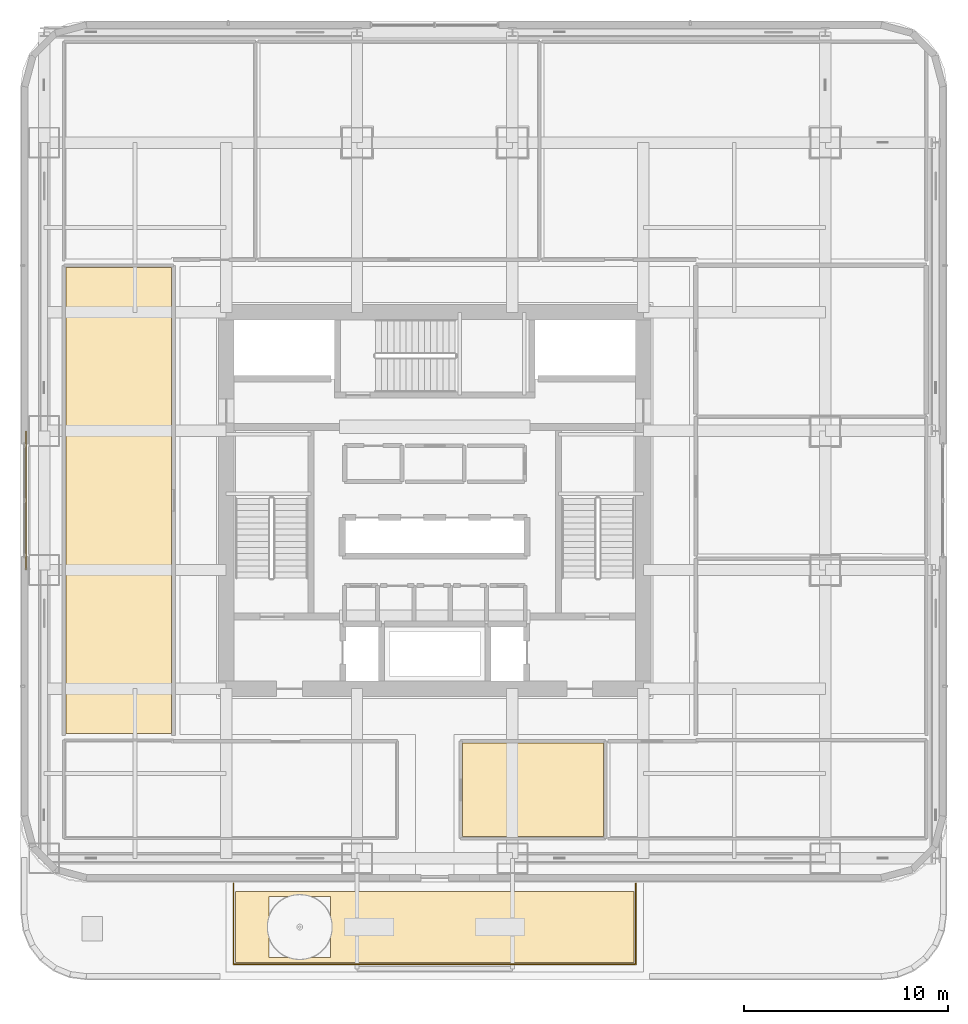
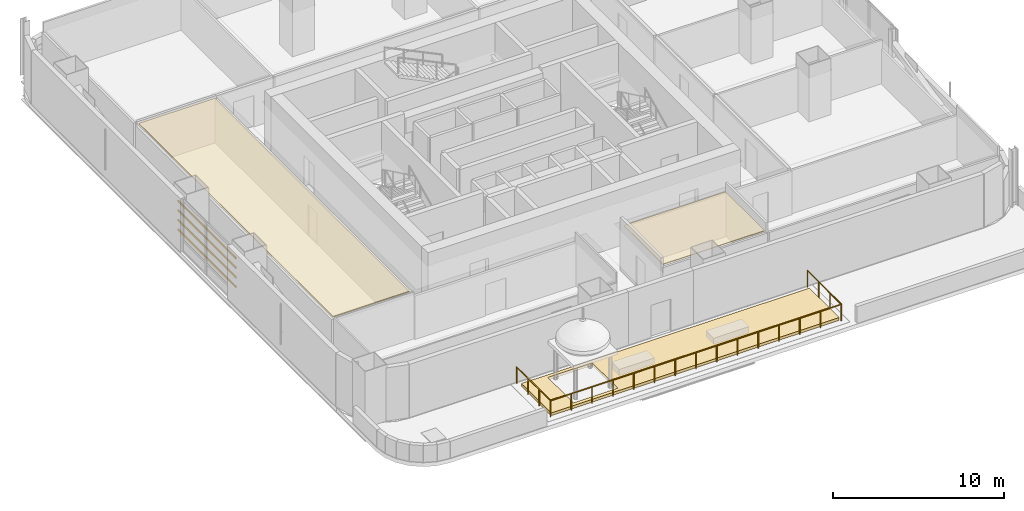
# One storey, part 18 of 28: 4 shading devices, 3 coverings, 1 railing.
"""IFC4 building model written with IfcOpenShell, lengths in metres."""

from ifc_helpers import new_model, si_unit, direction, frame, origin, origin_2d, place, context, subcontext, project, spatial, polyline, hollow_rectangle, circle, outline, extrude, material, layer, layer_set, material_profile, profile_set, type_object, element, save


model = new_model("IFC4")

# Units and contexts
model_context = context("Model", 3, precision=1e-05, world=origin(), true_north=direction((0.0, 1.0)))
body_context = subcontext(model_context, "Body", "Model", "MODEL_VIEW")
ifc_project = project(units=[si_unit("LENGTHUNIT", "METRE"), si_unit("AREAUNIT", "SQUARE_METRE"), si_unit("VOLUMEUNIT", "CUBIC_METRE"), si_unit("PLANEANGLEUNIT", "RADIAN"), si_unit("MASSUNIT", "GRAM", prefix="KILO")], contexts=[model_context])

# Site, building, storey
site_placement = place(None, origin())
site = spatial("IfcSite", under=ifc_project, at=site_placement, CompositionType="ELEMENT")
building_placement = place(site_placement, origin())
building = spatial("IfcBuilding", under=site, at=building_placement, Name="Punatoya Terracotta Tower", CompositionType="ELEMENT")
storey_placement = place(building_placement, frame((0.0, 0.0, 93.0)))
storey = spatial("IfcBuildingStorey", under=building, at=storey_placement, Name="L21", CompositionType="ELEMENT", Elevation=93.0)

# Coverings
ifc_material_1 = material(Name="Acoustic Mineral Fibre Ceiling")
ifc_layer_1 = layer(ifc_material_1, 0.06005859375)
ifc_layer_set_1 = layer_set([ifc_layer_1], Name="Acoustic Mineral Fibre Ceiling")
covering_type_1 = type_object("IfcCoveringType", Name="COV-CEIL-60", PredefinedType="CEILING", material=ifc_layer_set_1)
covering_1_placement = place(storey_placement, frame((0.0, 0.0, 3.159912109375)))
element("IfcCovering", 1, at=covering_1_placement, inside=storey, type_object=covering_type_1, Name="L21 Client Media Salon Acoustic Ceiling", PredefinedType="CEILING", context=body_context, shape_type="SweptSolid", body=[
    extrude(outline(polyline([(1.3701171875, -16.43994140625), (8.259033203125, -16.43994140625), (8.259033203125, -11.8701171875), (1.3701171875, -11.8701171875), (1.3701171875, -16.43994140625)])), origin(), (0.0, 0.0, 1.0), 0.06005859375),
])
covering_2_placement = place(storey_placement, frame((0.0, 0.0, 3.159912109375)))
element("IfcCovering", 2, at=covering_2_placement, inside=storey, type_object=covering_type_1, Name="L21 Hospitality Tea Pantry Acoustic Ceiling", PredefinedType="CEILING", context=body_context, shape_type="SweptSolid", body=[
    extrude(outline(polyline([(-12.8701171875, -11.389892578125), (-12.8701171875, 11.389892578125), (-18.0400390625, 11.389892578125), (-18.0400390625, -11.389892578125), (-12.8701171875, -11.389892578125)])), origin(), (0.0, 0.0, 1.0), 0.06005859375),
])
ifc_material_2 = material(Name="Green Roof Planting Soil Medium")
ifc_layer_2 = layer(ifc_material_2, 0.35009765625)
ifc_layer_set_2 = layer_set([ifc_layer_2], Name="Green Roof Planting Soil Medium")
covering_type_2 = type_object("IfcCoveringType", Name="COV-TER-350", PredefinedType="ROOFING", material=ifc_layer_set_2)
covering_3_placement = place(storey_placement, origin())
element("IfcCovering", 3, at=covering_3_placement, inside=storey, type_object=covering_type_2, Name="L21 L21 Spiralling Sky Terrace Planted Soil Bed", PredefinedType="ROOFING", context=body_context, shape_type="SweptSolid", body=[
    extrude(outline(polyline([(-9.75, -22.60009765625), (-9.75, -19.1201171875), (9.75, -19.1201171875), (9.75, -22.60009765625), (-9.75, -22.60009765625)]), holes=[polyline([(-5.10009765625, -19.360107421875), (-8.10009765625, -19.360107421875), (-8.10009765625, -22.360107421875), (-5.10009765625, -22.360107421875), (-5.10009765625, -19.360107421875)])]), origin(), (0.0, 0.0, 1.0), 0.199951171875),
])

# Railing
ifc_material_3 = material(Name="Steel S355", Category="steel")
railing_type = type_object("IfcRailingType", Name="RLG-BAL-1200", PredefinedType="BALUSTRADE", material=ifc_material_3)
railing_placement = place(storey_placement, frame((-9.840087890625, -18.719970703125, 0.0)))
element("IfcRailing", 4, at=railing_placement, inside=storey, type_object=railing_type, Name="L21 L21 Spiralling Sky Terrace Guardrail", PredefinedType="BALUSTRADE", context=body_context, shape_type="SweptSolid", body=[
    extrude(circle(Radius=0.02392578125, at=origin_2d()), frame((0.0, 0.0, 1.17578125), z_axis=(0.0, -1.0, 0.0), x_axis=(1.0, 0.0, 0.0)), (0.0, 0.0, 1.0), 3.969970703125),
    extrude(circle(Radius=0.02392578125, at=origin_2d()), frame((0.0, -3.969970703125, 1.17578125), z_axis=(1.0, 0.0, 0.0), x_axis=(0.0, 1.0, 0.0)), (0.0, 0.0, 1.0), 19.68017578125),
    extrude(circle(Radius=0.02392578125, at=origin_2d()), frame((19.68017578125, -3.969970703125, 1.17578125), z_axis=(0.0, 1.0, 0.0), x_axis=(-1.0, 0.0, 0.0)), (0.0, 0.0, 1.0), 3.969970703125),
    extrude(circle(Radius=0.02099609375, at=origin_2d()), origin(), (0.0, 0.0, 1.0), 1.15185546875),
    extrude(circle(Radius=0.02099609375, at=origin_2d()), frame((0.0, -1.3232421875, 0.0)), (0.0, 0.0, 1.0), 1.15185546875),
    extrude(circle(Radius=0.02099609375, at=origin_2d()), frame((0.0, -2.646728515625, 0.0)), (0.0, 0.0, 1.0), 1.15185546875),
    extrude(circle(Radius=0.02099609375, at=origin_2d()), frame((0.0, -3.969970703125, 0.0)), (0.0, 0.0, 1.0), 1.15185546875),
    extrude(circle(Radius=0.02099609375, at=origin_2d()), frame((1.40576171875, -3.969970703125, 0.0)), (0.0, 0.0, 1.0), 1.15185546875),
    extrude(circle(Radius=0.02099609375, at=origin_2d()), frame((2.8115234375, -3.969970703125, 0.0)), (0.0, 0.0, 1.0), 1.15185546875),
    extrude(circle(Radius=0.02099609375, at=origin_2d()), frame((4.21728515625, -3.969970703125, 0.0)), (0.0, 0.0, 1.0), 1.15185546875),
    extrude(circle(Radius=0.02099609375, at=origin_2d()), frame((5.622802734375, -3.969970703125, 0.0)), (0.0, 0.0, 1.0), 1.15185546875),
    extrude(circle(Radius=0.02099609375, at=origin_2d()), frame((7.028564453125, -3.969970703125, 0.0)), (0.0, 0.0, 1.0), 1.15185546875),
    extrude(circle(Radius=0.02099609375, at=origin_2d()), frame((8.434326171875, -3.969970703125, 0.0)), (0.0, 0.0, 1.0), 1.15185546875),
    extrude(circle(Radius=0.02099609375, at=origin_2d()), frame((9.840087890625, -3.969970703125, 0.0)), (0.0, 0.0, 1.0), 1.15185546875),
    extrude(circle(Radius=0.02099609375, at=origin_2d()), frame((11.245849609375, -3.969970703125, 0.0)), (0.0, 0.0, 1.0), 1.15185546875),
    extrude(circle(Radius=0.02099609375, at=origin_2d()), frame((12.651611328125, -3.969970703125, 0.0)), (0.0, 0.0, 1.0), 1.15185546875),
    extrude(circle(Radius=0.02099609375, at=origin_2d()), frame((14.057373046875, -3.969970703125, 0.0)), (0.0, 0.0, 1.0), 1.15185546875),
    extrude(circle(Radius=0.02099609375, at=origin_2d()), frame((15.462890625, -3.969970703125, 0.0)), (0.0, 0.0, 1.0), 1.15185546875),
    extrude(circle(Radius=0.02099609375, at=origin_2d()), frame((16.86865234375, -3.969970703125, 0.0)), (0.0, 0.0, 1.0), 1.15185546875),
    extrude(circle(Radius=0.02099609375, at=origin_2d()), frame((18.2744140625, -3.969970703125, 0.0)), (0.0, 0.0, 1.0), 1.15185546875),
    extrude(circle(Radius=0.02099609375, at=origin_2d()), frame((19.68017578125, -3.969970703125, 0.0)), (0.0, 0.0, 1.0), 1.15185546875),
    extrude(circle(Radius=0.02099609375, at=origin_2d()), frame((19.68017578125, -2.646728515625, 0.0)), (0.0, 0.0, 1.0), 1.15185546875),
    extrude(circle(Radius=0.02099609375, at=origin_2d()), frame((19.68017578125, -1.3232421875, 0.0)), (0.0, 0.0, 1.0), 1.15185546875),
    extrude(circle(Radius=0.02099609375, at=origin_2d()), frame((19.68017578125, 0.0, 0.0)), (0.0, 0.0, 1.0), 1.15185546875),
])

# Shading devices
ifc_material_4 = material(Name="Architectural Fired Terracotta", Category="masonry")
ifc_material_profile = material_profile(ifc_material_4, hollow_rectangle(XDim=0.06494140625, YDim=0.1201171875, WallThickness=0.014892578125, at=origin_2d()))
ifc_profile_set = profile_set([ifc_material_profile], Name="Architectural Fired Terracotta")
shading_device_type = type_object("IfcShadingDeviceType", Name="SHD-BAG-120", PredefinedType="USERDEFINED", material=ifc_profile_set)
for number, where, z_axis, x_axis, name in (
    (5, (-19.989990234375, -3.39990234375, 1.14990234375), (0.0, 1.0, 0.0), (-1.0, 0.0, 0.0), "L21 Fired Terracotta Baguette Louvre BAG-L21-W-01"),
    (6, (-19.989990234375, -3.39990234375, 1.836669921875), (0.0, 1.0, 0.0), (-1.0, 0.0, 0.0), "L21 Fired Terracotta Baguette Louvre BAG-L21-W-02"),
    (7, (-19.989990234375, -3.39990234375, 2.523193359375), (0.0, 1.0, 0.0), (-1.0, 0.0, 0.0), "L21 Fired Terracotta Baguette Louvre BAG-L21-W-03"),
    (8, (-19.989990234375, -3.39990234375, 3.2099609375), (0.0, 1.0, 0.0), (-1.0, 0.0, 0.0), "L21 Fired Terracotta Baguette Louvre BAG-L21-W-04"),
):
    element("IfcShadingDevice", number, at=place(storey_placement, frame(where, z_axis=z_axis, x_axis=x_axis)), inside=storey, type_object=shading_device_type, Name=name, ObjectType="BAGUETTE", PredefinedType="USERDEFINED", context=body_context, shape_type="SweptSolid", body=[
        extrude(hollow_rectangle(XDim=0.06494140625, YDim=0.1201171875, WallThickness=0.014892578125, at=origin_2d()), origin(), (0.0, 0.0, 1.0), 6.7998046875),
    ])

save(model, "model.ifc")
